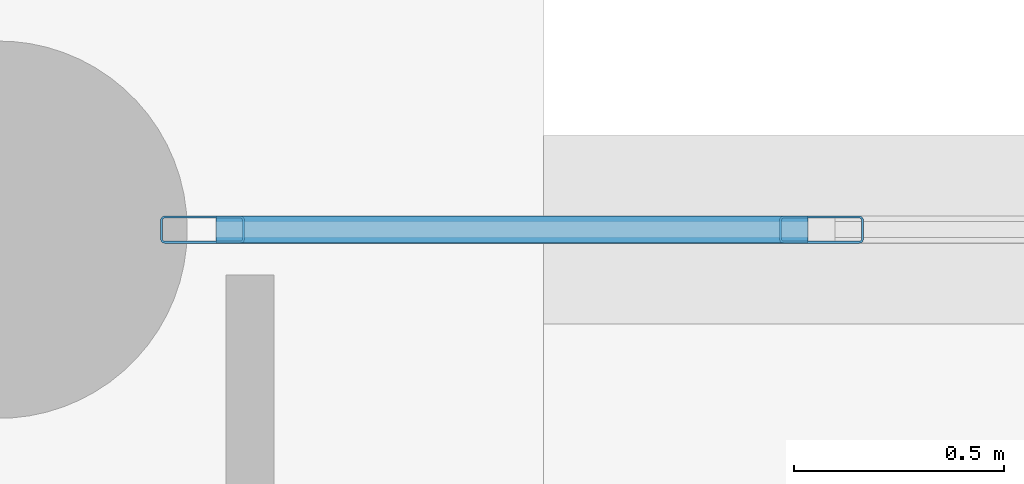
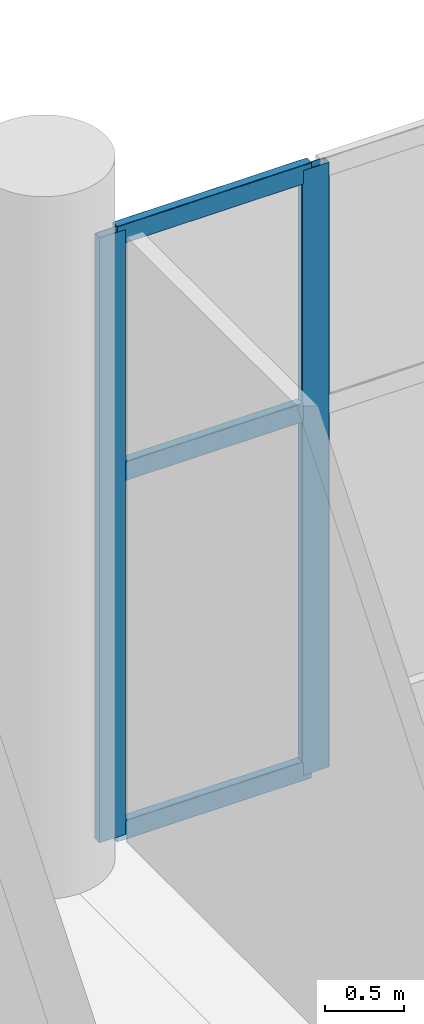
# One storey, part 37 of 95: 5 members, 1 element without a shape of its own.
"""IFC4 building model written with IfcOpenShell, lengths in metres."""

from ifc_helpers import new_model, si_unit, direction, frame, origin, origin_2d, place, context, subcontext, project, spatial, hollow_rectangle, extrude, material, material_profile, profile_set, type_object, element, aggregate, save


model = new_model("IFC4")

# Units and contexts
model_context = context("Model", 3, precision=1e-05, world=origin(), true_north=direction((0.0, 1.0)))
body_context = subcontext(model_context, "Body", "Model", "MODEL_VIEW")
ifc_project = project(units=[si_unit("LENGTHUNIT", "METRE"), si_unit("AREAUNIT", "SQUARE_METRE"), si_unit("VOLUMEUNIT", "CUBIC_METRE"), si_unit("PLANEANGLEUNIT", "RADIAN"), si_unit("MASSUNIT", "GRAM", prefix="KILO")], contexts=[model_context])

# Site, building, storey
site_placement = place(None, origin())
site = spatial("IfcSite", under=ifc_project, at=site_placement, CompositionType="ELEMENT")
building_placement = place(site_placement, origin())
building = spatial("IfcBuilding", under=site, at=building_placement, Name="Shengluoqiao Park Theatre", CompositionType="ELEMENT")
storey_placement = place(building_placement, origin())
storey = spatial("IfcBuildingStorey", under=building, at=storey_placement, Name="L00", CompositionType="ELEMENT", Elevation=0.0)

# Curtain wall, members
ifc_material = material(Name="Aluminium 6063-T6", Category="aluminium")
curtain_wall_type = type_object("IfcCurtainWallType", Name="ENV-CW-FOYER", PredefinedType="NOTDEFINED", material=ifc_material)
curtain_wall_placement = place(storey_placement, origin())
curtain_wall = element("IfcCurtainWall", 1, at=curtain_wall_placement, inside=storey, type_object=curtain_wall_type, Name="L00 Curtain Wall CW-L00-0038", PredefinedType="NOTDEFINED")
ifc_material_profile_1 = material_profile(ifc_material, hollow_rectangle(XDim=0.06494140625, YDim=0.199951171875, WallThickness=0.0048828125, InnerFilletRadius=0.0048828125, OuterFilletRadius=0.010009765625, at=origin_2d()), Name="ALU MULLION 200x65x5")
ifc_profile_set_1 = profile_set([ifc_material_profile_1], Name="Aluminium 6063-T6")
member_type_1 = type_object("IfcMemberType", Name="ENV-MUL-200", PredefinedType="MULLION", material=ifc_profile_set_1)
member_1_placement = place(storey_placement, frame((28.08642578125, 76.0, 0.0), z_axis=(0.0, 0.0, 1.0), x_axis=(0.0, 1.0, 0.0)))
member_1 = element("IfcMember", 2, at=member_1_placement, type_object=member_type_1, Name="CW-01 mullion 1", PredefinedType="MULLION", context=body_context, shape_type="SweptSolid", body=[
    extrude(hollow_rectangle(XDim=0.06494140625, YDim=0.199951171875, WallThickness=0.0048828125, InnerFilletRadius=0.0048828125, OuterFilletRadius=0.010009765625, at=origin_2d()), origin(), (0.0, 0.0, 1.0), 4.64990234375),
])
member_2_placement = place(storey_placement, frame((29.5625, 76.0, 0.0), z_axis=(0.0, 0.0, 1.0), x_axis=(0.0, 1.0, 0.0)))
member_2 = element("IfcMember", 3, at=member_2_placement, type_object=member_type_1, Name="CW-01 mullion 2", PredefinedType="MULLION", context=body_context, shape_type="SweptSolid", body=[
    extrude(hollow_rectangle(XDim=0.06494140625, YDim=0.199951171875, WallThickness=0.0048828125, InnerFilletRadius=0.0048828125, OuterFilletRadius=0.010009765625, at=origin_2d()), origin(), (0.0, 0.0, 1.0), 4.64990234375),
])
ifc_material_profile_2 = material_profile(ifc_material, hollow_rectangle(XDim=0.06494140625, YDim=0.14990234375, WallThickness=0.00390625, InnerFilletRadius=0.00390625, OuterFilletRadius=0.008056640625, at=origin_2d()), Name="ALU TRANSOM 150x65x4")
ifc_profile_set_2 = profile_set([ifc_material_profile_2], Name="Aluminium 6063-T6")
member_type_2 = type_object("IfcMemberType", Name="ENV-TRN-150", PredefinedType="USERDEFINED", material=ifc_profile_set_2)
member_3_placement = place(storey_placement, frame((28.118896484375, 76.0, 0.032470703125), z_axis=(1.0, 0.0, 0.0), x_axis=(0.0, 1.0, 0.0)))
member_3 = element("IfcMember", 4, at=member_3_placement, type_object=member_type_2, Name="CW-01 transom 1.1", ObjectType="TRANSOM", PredefinedType="USERDEFINED", context=body_context, shape_type="SweptSolid", body=[
    extrude(hollow_rectangle(XDim=0.06494140625, YDim=0.14990234375, WallThickness=0.00390625, InnerFilletRadius=0.00390625, OuterFilletRadius=0.008056640625, at=origin_2d()), origin(), (0.0, 0.0, 1.0), 1.410888671875),
])
member_4_placement = place(storey_placement, frame((28.118896484375, 76.0, 2.7900390625), z_axis=(1.0, 0.0, 0.0), x_axis=(0.0, 1.0, 0.0)))
member_4 = element("IfcMember", 5, at=member_4_placement, type_object=member_type_2, Name="CW-01 transom 1.2", ObjectType="TRANSOM", PredefinedType="USERDEFINED", context=body_context, shape_type="SweptSolid", body=[
    extrude(hollow_rectangle(XDim=0.06494140625, YDim=0.14990234375, WallThickness=0.00390625, InnerFilletRadius=0.00390625, OuterFilletRadius=0.008056640625, at=origin_2d()), origin(), (0.0, 0.0, 1.0), 1.410888671875),
])
member_5_placement = place(storey_placement, frame((28.118896484375, 76.0, 4.617431640625), z_axis=(1.0, 0.0, 0.0), x_axis=(0.0, 1.0, 0.0)))
member_5 = element("IfcMember", 6, at=member_5_placement, type_object=member_type_2, Name="CW-01 transom 1.3", ObjectType="TRANSOM", PredefinedType="USERDEFINED", context=body_context, shape_type="SweptSolid", body=[
    extrude(hollow_rectangle(XDim=0.06494140625, YDim=0.14990234375, WallThickness=0.00390625, InnerFilletRadius=0.00390625, OuterFilletRadius=0.008056640625, at=origin_2d()), origin(), (0.0, 0.0, 1.0), 1.410888671875),
])
aggregate(curtain_wall, [member_1, member_2, member_3, member_4, member_5])

save(model, "model.ifc")
